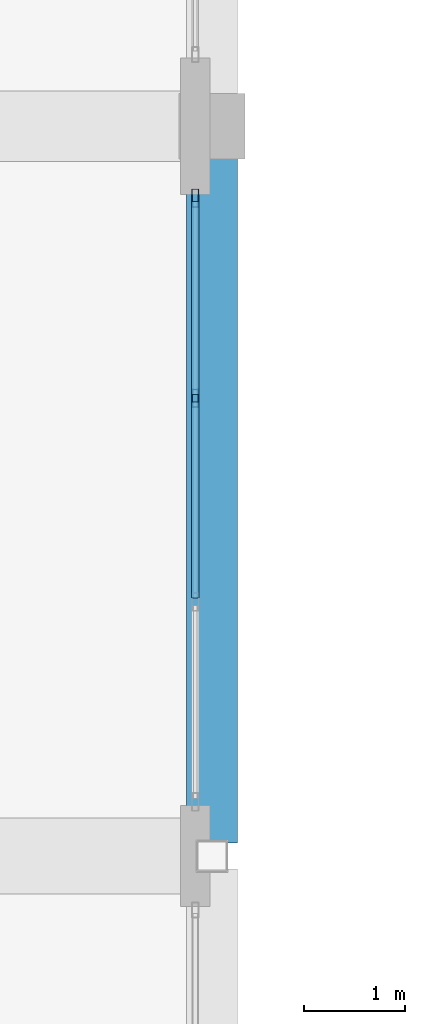
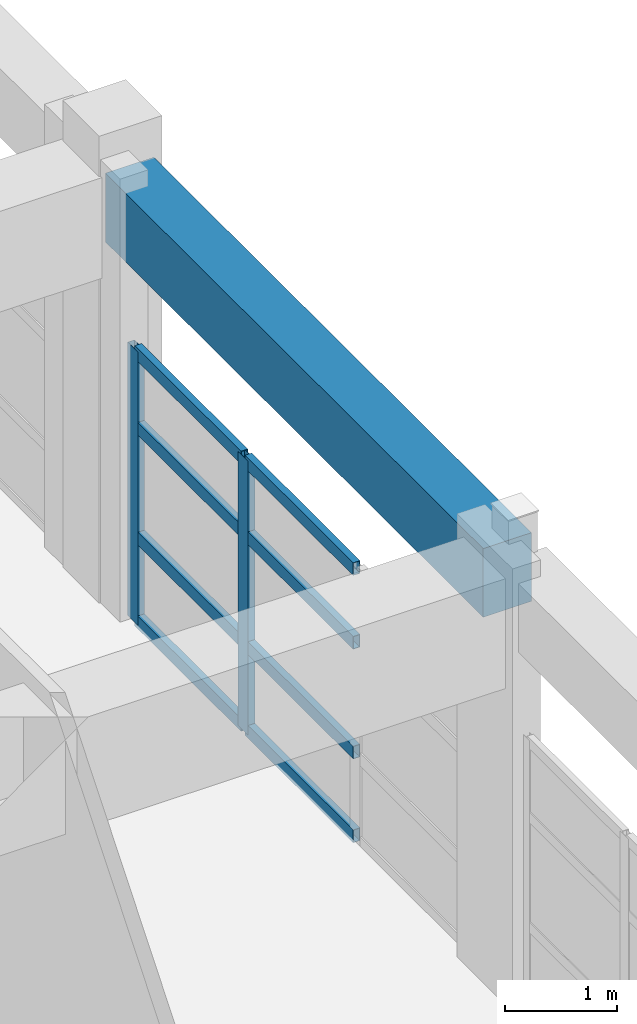
# One storey, part 22 of 78: 10 members, 1 beam, 1 element without a shape of its own.
"""IFC4 building model written with IfcOpenShell, lengths in metres."""

from ifc_helpers import new_model, si_unit, direction, frame, origin, origin_2d, place, context, subcontext, project, spatial, rectangle, hollow_rectangle, extrude, material, layer, layer_set, material_profile, profile_set, type_object, element, aggregate, save


model = new_model("IFC4")

# Units and contexts
model_context = context("Model", 3, precision=1e-05, world=origin(), true_north=direction((0.0, 1.0)))
body_context = subcontext(model_context, "Body", "Model", "MODEL_VIEW")
ifc_project = project(units=[si_unit("LENGTHUNIT", "METRE"), si_unit("AREAUNIT", "SQUARE_METRE"), si_unit("VOLUMEUNIT", "CUBIC_METRE"), si_unit("PLANEANGLEUNIT", "RADIAN"), si_unit("MASSUNIT", "GRAM", prefix="KILO")], contexts=[model_context])

# Site, building, storey
site_placement = place(None, origin())
site = spatial("IfcSite", under=ifc_project, at=site_placement, CompositionType="ELEMENT")
building_placement = place(site_placement, origin())
building = spatial("IfcBuilding", under=site, at=building_placement, Name="Quendrovan Civic Courthouse", CompositionType="ELEMENT")
storey_placement = place(building_placement, frame((0.0, 0.0, 20.39990234375)))
storey = spatial("IfcBuildingStorey", under=building, at=storey_placement, Name="L05", CompositionType="ELEMENT", Elevation=20.39990234375)

# Beam
ifc_material_1 = material(Name="Concrete C40/50", Category="concrete")
ifc_material_profile_1 = material_profile(ifc_material_1, rectangle(XDim=0.5, YDim=0.75, at=origin_2d()), Name="RC-BM-500x750")
ifc_profile_set_1 = profile_set([ifc_material_profile_1], Name="Concrete C40/50")
beam_type = type_object("IfcBeamType", Name="BM-RC750", PredefinedType="SPANDREL", material=ifc_profile_set_1)
beam_placement = place(storey_placement, frame((16.800048828125, 73.330078125, 4.28515625), z_axis=(0.0, 1.0, 0.0), x_axis=(-1.0, 0.0, 0.0)))
element("IfcBeam", 1, at=beam_placement, inside=storey, type_object=beam_type, Name="L05 Girder Y1071", PredefinedType="SPANDREL", context=body_context, shape_type="SweptSolid", body=[
    extrude(rectangle(XDim=0.5, YDim=0.75, at=origin_2d()), origin(), (0.0, 0.0, 1.0), 6.764892578125),
])

# Curtain wall, members
ifc_material_2 = material(Name="Bronze anodised aluminium and low-E glass", Category="aluminium")
ifc_layer = layer(ifc_material_2, 0.179931640625, Name="Bronze anodised aluminium and low-E glass")
ifc_layer_set = layer_set([ifc_layer], Name="Bronze anodised aluminium and low-E glass")
curtain_wall_type = type_object("IfcCurtainWallType", Name="CW-U60x30", PredefinedType="USERDEFINED", material=ifc_layer_set)
curtain_wall_placement = place(storey_placement, origin())
curtain_wall = element("IfcCurtainWall", 2, at=curtain_wall_placement, inside=storey, type_object=curtain_wall_type, Name="L05 Unitised Hurricane Curtain Wall CW-182", ObjectType="UNITISED CURTAIN WALL", PredefinedType="USERDEFINED")
ifc_material_3 = material(Name="Bronze anodised aluminium", Category="aluminium")
ifc_material_profile_2 = material_profile(ifc_material_3, hollow_rectangle(XDim=0.070068359375, YDim=0.179931640625, WallThickness=0.00390625, at=origin_2d()), Name="CW-MULL-70x180")
ifc_profile_set_2 = profile_set([ifc_material_profile_2], Name="Bronze anodised aluminium")
member_type_1 = type_object("IfcMemberType", Name="CW-MULL-A", PredefinedType="MULLION", material=ifc_profile_set_2)
member_1_placement = place(storey_placement, frame((16.635009765625, 79.68994140625, 0.0), z_axis=(0.0, 0.0, 1.0), x_axis=(1.0, 0.0, 0.0)))
member_1 = element("IfcMember", 3, at=member_1_placement, type_object=member_type_1, Name="CW-182 mullion 1", PredefinedType="MULLION", context=body_context, shape_type="SweptSolid", body=[
    extrude(hollow_rectangle(XDim=0.070068359375, YDim=0.179931640625, WallThickness=0.00390625, at=origin_2d()), origin(), (0.0, 0.0, 1.0), 2.989990234375),
])
member_2_placement = place(storey_placement, frame((16.635009765625, 77.716552734375, 0.0), z_axis=(0.0, 0.0, 1.0), x_axis=(1.0, 0.0, 0.0)))
member_2 = element("IfcMember", 4, at=member_2_placement, type_object=member_type_1, Name="CW-182 mullion 2", PredefinedType="MULLION", context=body_context, shape_type="SweptSolid", body=[
    extrude(hollow_rectangle(XDim=0.070068359375, YDim=0.179931640625, WallThickness=0.00390625, at=origin_2d()), origin(), (0.0, 0.0, 1.0), 2.989990234375),
])
ifc_material_profile_3 = material_profile(ifc_material_3, hollow_rectangle(XDim=0.070068359375, YDim=0.139892578125, WallThickness=0.00390625, at=origin_2d()), Name="CW-TRAN-70x140")
ifc_profile_set_3 = profile_set([ifc_material_profile_3], Name="Bronze anodised aluminium")
member_type_2 = type_object("IfcMemberType", Name="CW-TRAN-A", PredefinedType="USERDEFINED", material=ifc_profile_set_3)
member_3_placement = place(storey_placement, frame((16.635009765625, 79.655029296875, 0.03515625), z_axis=(0.0, -1.0, 0.0), x_axis=(1.0, 0.0, 0.0)))
member_3 = element("IfcMember", 5, at=member_3_placement, type_object=member_type_2, Name="CW-182 transom 1.1", ObjectType="TRANSOM", PredefinedType="USERDEFINED", context=body_context, shape_type="SweptSolid", body=[
    extrude(hollow_rectangle(XDim=0.070068359375, YDim=0.139892578125, WallThickness=0.00390625, at=origin_2d()), origin(), (0.0, 0.0, 1.0), 1.9033203125),
])
member_4_placement = place(storey_placement, frame((16.635009765625, 79.655029296875, 0.9501953125), z_axis=(0.0, -1.0, 0.0), x_axis=(1.0, 0.0, 0.0)))
member_4 = element("IfcMember", 6, at=member_4_placement, type_object=member_type_2, Name="CW-182 transom 1.2", ObjectType="TRANSOM", PredefinedType="USERDEFINED", context=body_context, shape_type="SweptSolid", body=[
    extrude(hollow_rectangle(XDim=0.070068359375, YDim=0.139892578125, WallThickness=0.00390625, at=origin_2d()), origin(), (0.0, 0.0, 1.0), 1.9033203125),
])
member_5_placement = place(storey_placement, frame((16.635009765625, 79.655029296875, 2.150146484375), z_axis=(0.0, -1.0, 0.0), x_axis=(1.0, 0.0, 0.0)))
member_5 = element("IfcMember", 7, at=member_5_placement, type_object=member_type_2, Name="CW-182 transom 1.3", ObjectType="TRANSOM", PredefinedType="USERDEFINED", context=body_context, shape_type="SweptSolid", body=[
    extrude(hollow_rectangle(XDim=0.070068359375, YDim=0.139892578125, WallThickness=0.00390625, at=origin_2d()), origin(), (0.0, 0.0, 1.0), 1.9033203125),
])
member_6_placement = place(storey_placement, frame((16.635009765625, 79.655029296875, 2.955078125), z_axis=(0.0, -1.0, 0.0), x_axis=(1.0, 0.0, 0.0)))
member_6 = element("IfcMember", 8, at=member_6_placement, type_object=member_type_2, Name="CW-182 transom 1.4", ObjectType="TRANSOM", PredefinedType="USERDEFINED", context=body_context, shape_type="SweptSolid", body=[
    extrude(hollow_rectangle(XDim=0.070068359375, YDim=0.139892578125, WallThickness=0.00390625, at=origin_2d()), origin(), (0.0, 0.0, 1.0), 1.9033203125),
])
member_7_placement = place(storey_placement, frame((16.635009765625, 77.681640625, 0.03515625), z_axis=(0.0, -1.0, 0.0), x_axis=(1.0, 0.0, 0.0)))
member_7 = element("IfcMember", 9, at=member_7_placement, type_object=member_type_2, Name="CW-182 transom 2.1", ObjectType="TRANSOM", PredefinedType="USERDEFINED", context=body_context, shape_type="SweptSolid", body=[
    extrude(hollow_rectangle(XDim=0.070068359375, YDim=0.139892578125, WallThickness=0.00390625, at=origin_2d()), origin(), (0.0, 0.0, 1.0), 1.938232421875),
])
member_8_placement = place(storey_placement, frame((16.635009765625, 77.681640625, 0.9501953125), z_axis=(0.0, -1.0, 0.0), x_axis=(1.0, 0.0, 0.0)))
member_8 = element("IfcMember", 10, at=member_8_placement, type_object=member_type_2, Name="CW-182 transom 2.2", ObjectType="TRANSOM", PredefinedType="USERDEFINED", context=body_context, shape_type="SweptSolid", body=[
    extrude(hollow_rectangle(XDim=0.070068359375, YDim=0.139892578125, WallThickness=0.00390625, at=origin_2d()), origin(), (0.0, 0.0, 1.0), 1.938232421875),
])
member_9_placement = place(storey_placement, frame((16.635009765625, 77.681640625, 2.150146484375), z_axis=(0.0, -1.0, 0.0), x_axis=(1.0, 0.0, 0.0)))
member_9 = element("IfcMember", 11, at=member_9_placement, type_object=member_type_2, Name="CW-182 transom 2.3", ObjectType="TRANSOM", PredefinedType="USERDEFINED", context=body_context, shape_type="SweptSolid", body=[
    extrude(hollow_rectangle(XDim=0.070068359375, YDim=0.139892578125, WallThickness=0.00390625, at=origin_2d()), origin(), (0.0, 0.0, 1.0), 1.938232421875),
])
member_10_placement = place(storey_placement, frame((16.635009765625, 77.681640625, 2.955078125), z_axis=(0.0, -1.0, 0.0), x_axis=(1.0, 0.0, 0.0)))
member_10 = element("IfcMember", 12, at=member_10_placement, type_object=member_type_2, Name="CW-182 transom 2.4", ObjectType="TRANSOM", PredefinedType="USERDEFINED", context=body_context, shape_type="SweptSolid", body=[
    extrude(hollow_rectangle(XDim=0.070068359375, YDim=0.139892578125, WallThickness=0.00390625, at=origin_2d()), origin(), (0.0, 0.0, 1.0), 1.938232421875),
])
aggregate(curtain_wall, [member_1, member_2, member_3, member_4, member_5, member_6, member_7, member_8, member_9, member_10])

save(model, "model.ifc")
